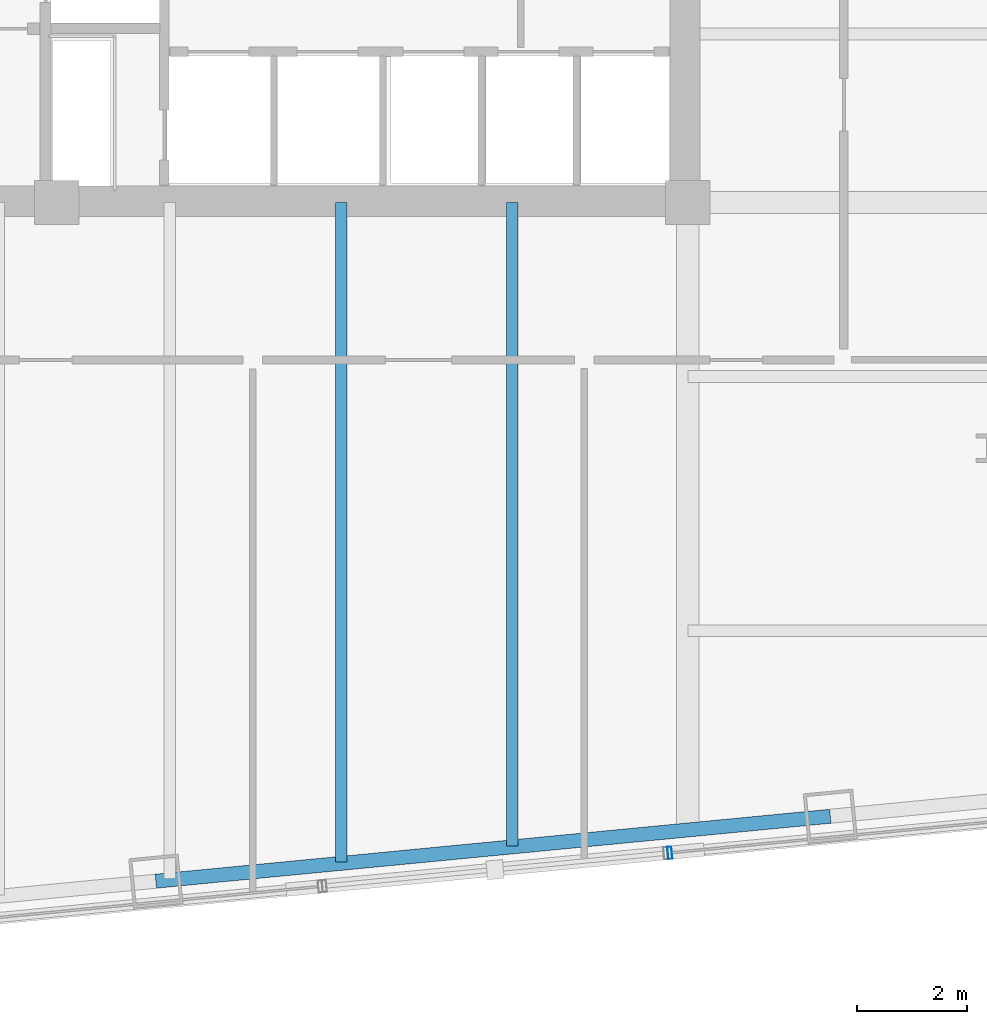
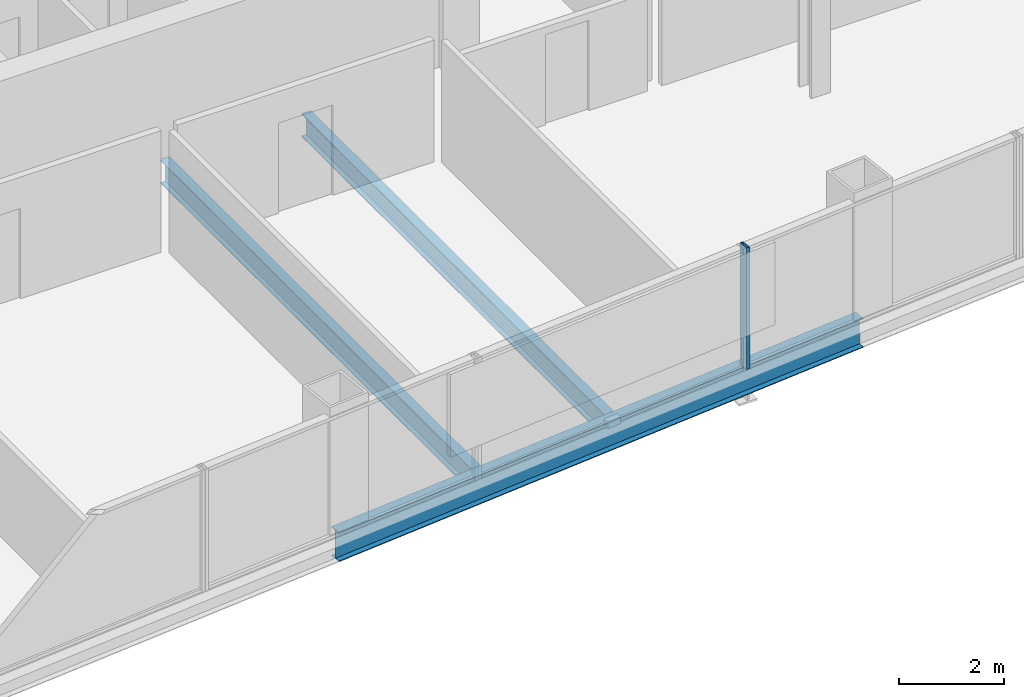
# One storey, part 6 of 28: 3 beams, 1 member, 1 element without a shape of its own.
"""IFC4 building model written with IfcOpenShell, lengths in metres."""

import ifcopenshell
import ifcopenshell.guid

model = None  # the IFC model being written
_history = None  # IfcOwnerHistory: only IFC2X3 demands one
_inside = {}  # id of a spatial element -> (the spatial element, [elements in it])
_under = {}  # id of a project, library or spatial element -> (it, [spatial elements below it])
_declared = {}  # id of a project -> (the project, [libraries it declares])
_typed = {}  # id of a type object -> (the type object, [elements of that type])
_made_of = {}  # id of a material, layer set ... -> (it, [elements and type objects made of it])


def new_model(schema):
    """Start an empty IFC model of exactly this schema.

    Asked for "IFC4X3", IfcOpenShell would pick the latest addendum, in which some entities
    have other attributes; the version numbers below select the first issue.
    IFC2X3 requires an IfcOwnerHistory on every rooted entity: one is made here for all.
    """
    global model, _history
    if schema == "IFC4X3":
        model = ifcopenshell.file(schema_version=(4, 3, 0, 0))
    else:
        model = ifcopenshell.file(schema=schema)
    _inside.clear()
    _under.clear()
    _declared.clear()
    _typed.clear()
    _made_of.clear()
    _history = None
    if model.schema == "IFC2X3":
        org = make("IfcOrganization", Name="unknown")
        user = make(
            "IfcPersonAndOrganization",
            ThePerson=make("IfcPerson", FamilyName="unknown"),
            TheOrganization=org,
        )
        app = make(
            "IfcApplication",
            ApplicationDeveloper=org,
            Version="unknown",
            ApplicationFullName="unknown",
            ApplicationIdentifier="unknown",
        )
        _history = make(
            "IfcOwnerHistory",
            OwningUser=user,
            OwningApplication=app,
            ChangeAction="ADDED",
            CreationDate=0,
        )
    return model


def make(cls, **values):
    """One entity of the class cls with the attributes given. An attribute that is None is left unset."""
    return model.create_entity(
        cls, **{name: value for name, value in values.items() if value is not None}
    )


def rooted(cls, **values):
    """An entity with a GlobalId (a new one), such as an element, a storey or a relation."""
    return make(cls, GlobalId=ifcopenshell.guid.new(), OwnerHistory=_history, **values)


def si_unit(unit_type, name, prefix=None):
    """IfcSIUnit, for example si_unit("LENGTHUNIT", "METRE", prefix="MILLI")."""
    return make("IfcSIUnit", UnitType=unit_type, Prefix=prefix, Name=name)


def assignment(units):
    """IfcUnitAssignment: the units of a project."""
    return None if units is None else make("IfcUnitAssignment", Units=units)


def point(xyz):
    """IfcCartesianPoint."""
    return None if xyz is None else make("IfcCartesianPoint", Coordinates=xyz)


def direction(xyz):
    """IfcDirection."""
    return None if xyz is None else make("IfcDirection", DirectionRatios=xyz)


def frame(location, z_axis=None, x_axis=None):
    """IfcAxis2Placement3D, a coordinate frame: its origin and axes. An axis left out is left unset."""
    return make(
        "IfcAxis2Placement3D",
        Location=point(location),
        Axis=direction(z_axis),
        RefDirection=direction(x_axis),
    )


def frame_2d(location, x_axis=None):
    """IfcAxis2Placement2D, a coordinate frame in the plane: its origin and x axis."""
    return make(
        "IfcAxis2Placement2D", Location=point(location), RefDirection=direction(x_axis)
    )


def origin():
    """The frame at (0, 0, 0) with its axes left unset."""
    return frame((0.0, 0.0, 0.0))


def origin_2d():
    """The frame at (0, 0) in the plane with its x axis left unset."""
    return frame_2d((0.0, 0.0))


def place(relative_to, where):
    """IfcLocalPlacement: puts the frame where relative to a parent placement (None: the world)."""
    return make(
        "IfcLocalPlacement", PlacementRelTo=relative_to, RelativePlacement=where
    )


def context(
    kind, dimensions, precision=None, world=None, true_north=None, identifier=None
):
    """IfcGeometricRepresentationContext, for example the 3D "Model" context."""
    return make(
        "IfcGeometricRepresentationContext",
        ContextIdentifier=identifier,
        ContextType=kind,
        CoordinateSpaceDimension=dimensions,
        Precision=precision,
        WorldCoordinateSystem=world,
        TrueNorth=true_north,
    )


def subcontext(parent, identifier, kind, view, scale=None):
    """IfcGeometricRepresentationSubContext, for example "Body" below "Model"."""
    return make(
        "IfcGeometricRepresentationSubContext",
        ContextIdentifier=identifier,
        ContextType=kind,
        ParentContext=parent,
        TargetScale=scale,
        TargetView=view,
    )


def project(units=None, contexts=None):
    """IfcProject with its units and contexts."""
    return rooted(
        "IfcProject",
        Name="project",
        RepresentationContexts=contexts,
        UnitsInContext=assignment(units),
    )


def spatial(cls, under=None, at=None, **own):
    """A site, building, storey or space (cls), placed at a placement, below another one or the project."""
    s = rooted(cls, ObjectPlacement=at, **own)
    if under is not None:
        _under.setdefault(under.id(), (under, []))[1].append(s)
    return s


def profile(cls, at=None, kind="AREA", **sizes):
    """A parametric profile (cls). Its sizes go by their IFC names, for example OverallWidth=200.0."""
    return make(cls, ProfileType=kind, Position=at, **sizes)


def hollow_rectangle(**sizes):
    """IfcRectangleHollowProfileDef."""
    return profile("IfcRectangleHollowProfileDef", **sizes)


def i_section(**sizes):
    """IfcIShapeProfileDef."""
    return profile("IfcIShapeProfileDef", **sizes)


def extrude(swept, where, along, depth):
    """IfcExtrudedAreaSolid: the profile swept, set in the frame where, extruded along a direction by depth."""
    return make(
        "IfcExtrudedAreaSolid",
        SweptArea=swept,
        Position=where,
        ExtrudedDirection=direction(along),
        Depth=depth,
    )


def shape(context_of_items, identifier, shape_type, items):
    """IfcShapeRepresentation: the items that make up one representation, for example the "Body"."""
    return make(
        "IfcShapeRepresentation",
        ContextOfItems=context_of_items,
        RepresentationIdentifier=identifier,
        RepresentationType=shape_type,
        Items=items,
    )


def material(Name=None, Category=None):
    """IfcMaterial."""
    return make("IfcMaterial", Name=Name, Category=Category)


def layer(
    of_material, thickness, ventilated=None, Name=None, Category=None, Priority=None
):
    """IfcMaterialLayer: one layer of a wall or slab, of a material (None: an air gap)."""
    return make(
        "IfcMaterialLayer",
        Material=of_material,
        LayerThickness=thickness,
        IsVentilated=ventilated,
        Name=Name,
        Category=Category,
        Priority=Priority,
    )


def layer_set(layers, Name=None):
    """IfcMaterialLayerSet."""
    return make("IfcMaterialLayerSet", MaterialLayers=layers, LayerSetName=Name)


def material_profile(
    of_material, cross_section, Name=None, Category=None, Priority=None
):
    """IfcMaterialProfile: a cross section and its material."""
    return make(
        "IfcMaterialProfile",
        Name=Name,
        Material=of_material,
        Profile=cross_section,
        Priority=Priority,
        Category=Category,
    )


def profile_set(profiles, Name=None, composite=None):
    """IfcMaterialProfileSet."""
    return make(
        "IfcMaterialProfileSet",
        Name=Name,
        MaterialProfiles=profiles,
        CompositeProfile=composite,
    )


def made_of(thing, what):
    """Note that an element or type object is made of a material, layer set ...; save() writes the relation."""
    if what is not None:
        _made_of.setdefault(what.id(), (what, []))[1].append(thing)
    return thing


def type_object(cls, material=None, **own):
    """A type object (cls), such as IfcWallType, which elements share."""
    return made_of(rooted(cls, **own), material)


def element(
    cls,
    number,
    at=None,
    inside=None,
    cuts=None,
    type_object=None,
    material=None,
    context=None,
    identifier="Body",
    shape_type=None,
    held_by="IfcProductDefinitionShape",
    body=None,
    shapes=None,
    **own,
):
    """One element of the class cls, such as IfcWall. Its Tag is "e" and its number.

    at: its placement. inside: the storey or other place that contains it. cuts: it is an
    opening in that element (IfcRelVoidsElement). A single representation is given by context,
    identifier, shape_type and body (its items); several are given by shapes. held_by: the class
    of the entity that holds the representations. save() writes the other relations.
    """
    e = rooted(cls, Tag="e%d" % number, ObjectPlacement=at, **own)
    if body is not None:
        shapes = [shape(context, identifier, shape_type, body)]
    if shapes is not None:
        e.Representation = make(held_by, Representations=shapes)
    if inside is not None:
        _inside.setdefault(inside.id(), (inside, []))[1].append(e)
    if cuts is not None:
        rooted(
            "IfcRelVoidsElement", RelatingBuildingElement=cuts, RelatedOpeningElement=e
        )
    if type_object is not None:
        _typed.setdefault(type_object.id(), (type_object, []))[1].append(e)
    return made_of(e, material)


def aggregate(whole, parts):
    """IfcRelAggregates: a whole, such as a stair, and the parts it consists of."""
    return rooted("IfcRelAggregates", RelatingObject=whole, RelatedObjects=parts)


def save(model, path):
    """Write the relations noted so far, then the file.

    IfcRelAggregates (storeys below a building ...), IfcRelContainedInSpatialStructure (elements
    in a storey), IfcRelDefinesByType, IfcRelAssociatesMaterial and IfcRelDeclares: one each for
    every whole, place, type object, material and project.
    """
    for whole, parts in _under.values():
        aggregate(whole, parts)
    for where, things in _inside.values():
        rooted(
            "IfcRelContainedInSpatialStructure",
            RelatedElements=things,
            RelatingStructure=where,
        )
    for kind, things in _typed.values():
        rooted("IfcRelDefinesByType", RelatedObjects=things, RelatingType=kind)
    for what, things in _made_of.values():
        rooted("IfcRelAssociatesMaterial", RelatedObjects=things, RelatingMaterial=what)
    for by, libraries in _declared.values():
        rooted("IfcRelDeclares", RelatingContext=by, RelatedDefinitions=libraries)
    model.write(path)


model = new_model("IFC4")

# Units and contexts
model_context = context("Model", 3, precision=1e-05, world=origin(), true_north=direction((0.0, 1.0)))
body_context = subcontext(model_context, "Body", "Model", "MODEL_VIEW")
ifc_project = project(units=[si_unit("LENGTHUNIT", "METRE"), si_unit("AREAUNIT", "SQUARE_METRE"), si_unit("VOLUMEUNIT", "CUBIC_METRE"), si_unit("PLANEANGLEUNIT", "RADIAN"), si_unit("MASSUNIT", "GRAM", prefix="KILO")], contexts=[model_context])

# Site, building, storey
site_placement = place(None, origin())
site = spatial("IfcSite", under=ifc_project, at=site_placement, CompositionType="ELEMENT")
building_placement = place(site_placement, origin())
building = spatial("IfcBuilding", under=site, at=building_placement, Name="Qhalaya Broadcast Tower", CompositionType="ELEMENT")
storey_placement = place(building_placement, frame((0.0, 0.0, 90.800048828125)))
storey = spatial("IfcBuildingStorey", under=building, at=storey_placement, Name="L26", CompositionType="ELEMENT", Elevation=90.800048828125)

# Beams
ifc_material_1 = material(Name="Structural Steel ASTM A992 Grade 50", Category="steel")
ifc_material_profile_1 = material_profile(ifc_material_1, i_section(OverallWidth=0.2099609375, OverallDepth=0.535888671875, WebThickness=0.010986328125, FlangeThickness=0.017333984375, at=origin_2d()), Name="W21X68")
ifc_profile_set_1 = profile_set([ifc_material_profile_1], Name="Structural Steel ASTM A992 Grade 50")
beam_type_1 = type_object("IfcBeamType", Name="Composite Floor Joist J02", PredefinedType="JOIST", material=ifc_profile_set_1)
beam_1_placement = place(storey_placement, frame((3.10009765625, -20.693603515625, -0.488037109375), z_axis=(0.0, 1.0, 0.0), x_axis=(-1.0, 0.0, 0.0)))
element("IfcBeam", 1, at=beam_1_placement, inside=storey, type_object=beam_type_1, Name="L26 J02 L26-JNS4-1", PredefinedType="JOIST", context=body_context, shape_type="SweptSolid", body=[
    extrude(i_section(OverallWidth=0.2099609375, OverallDepth=0.535888671875, WebThickness=0.010986328125, FlangeThickness=0.017333984375, at=origin_2d()), origin(), (0.0, 0.0, 1.0), 11.943603515625),
])
beam_2_placement = place(storey_placement, frame((6.199951171875, -20.395263671875, -0.488037109375), z_axis=(0.0, 1.0, 0.0), x_axis=(-1.0, 0.0, 0.0)))
element("IfcBeam", 2, at=beam_2_placement, inside=storey, type_object=beam_type_1, Name="L26 J02 L26-JNS5-1", PredefinedType="JOIST", context=body_context, shape_type="SweptSolid", body=[
    extrude(i_section(OverallWidth=0.2099609375, OverallDepth=0.535888671875, WebThickness=0.010986328125, FlangeThickness=0.017333984375, at=origin_2d()), origin(), (0.0, 0.0, 1.0), 11.645263671875),
])
ifc_material_profile_2 = material_profile(ifc_material_1, i_section(OverallWidth=0.25390625, OverallDepth=0.68310546875, WebThickness=0.012451171875, FlangeThickness=0.01904296875, at=origin_2d()), Name="W27X94")
ifc_profile_set_2 = profile_set([ifc_material_profile_2], Name="Structural Steel ASTM A992 Grade 50")
beam_type_2 = type_object("IfcBeamType", Name="Perimeter Ring Spandrel Beam SP1", PredefinedType="SPANDREL", material=ifc_profile_set_2)
beam_3_placement = place(storey_placement, frame((-0.255126953125, -21.036865234375, -0.5615234375), z_axis=(0.99539563662, 0.095851586307, 0.0), x_axis=(-0.095851586307, 0.99539563662, 0.0)))
element("IfcBeam", 3, at=beam_3_placement, inside=storey, type_object=beam_type_2, Name="L26 SP1 L26-SPR-02", PredefinedType="SPANDREL", context=body_context, shape_type="SweptSolid", body=[
    extrude(i_section(OverallWidth=0.25390625, OverallDepth=0.68310546875, WebThickness=0.012451171875, FlangeThickness=0.01904296875, at=origin_2d()), origin(), (0.0, 0.0, 1.0), 12.2666015625),
])

# Curtain wall, member
ifc_material_2 = material(Name="Solar-Control Low-E Triple Glazing", Category="glass")
ifc_layer = layer(ifc_material_2, 0.219970703125, Name="Solar-Control Low-E Triple Glazing")
ifc_layer_set = layer_set([ifc_layer], Name="Solar-Control Low-E Triple Glazing")
curtain_wall_type = type_object("IfcCurtainWallType", Name="Even-Block 4-Storey Double-Module Curtain Wall CW-03", PredefinedType="NOTDEFINED", material=ifc_layer_set)
curtain_wall_placement = place(storey_placement, origin())
curtain_wall = element("IfcCurtainWall", 4, at=curtain_wall_placement, inside=storey, type_object=curtain_wall_type, Name="L26 Unitised Curtain Wall L26-CW-S5", PredefinedType="NOTDEFINED")
ifc_material_3 = material(Name="Anodised Aluminium 6063-T6", Category="aluminium")
ifc_material_profile_3 = material_profile(ifc_material_3, hollow_rectangle(XDim=0.074951171875, YDim=0.219970703125, WallThickness=0.00390625, at=origin_2d()), Name="ALU-MUL 75x220x4")
ifc_profile_set_3 = profile_set([ifc_material_profile_3], Name="Anodised Aluminium 6063-T6")
member_type = type_object("IfcMemberType", Name="Unitised Curtain-Wall Mullion M01", PredefinedType="MULLION", material=ifc_profile_set_3)
member_placement = place(storey_placement, frame((9.050048828125, -20.522705078125, 0.0), z_axis=(0.0, 0.0, 1.0), x_axis=(0.99539731409, 0.095834164588, 0.0)))
member = element("IfcMember", 5, at=member_placement, type_object=member_type, Name="CW-03 mullion 1", PredefinedType="MULLION", context=body_context, shape_type="SweptSolid", body=[
    extrude(hollow_rectangle(XDim=0.074951171875, YDim=0.219970703125, WallThickness=0.00390625, at=origin_2d()), origin(), (0.0, 0.0, 1.0), 2.829833984375),
])
aggregate(curtain_wall, [member])

save(model, "model.ifc")
